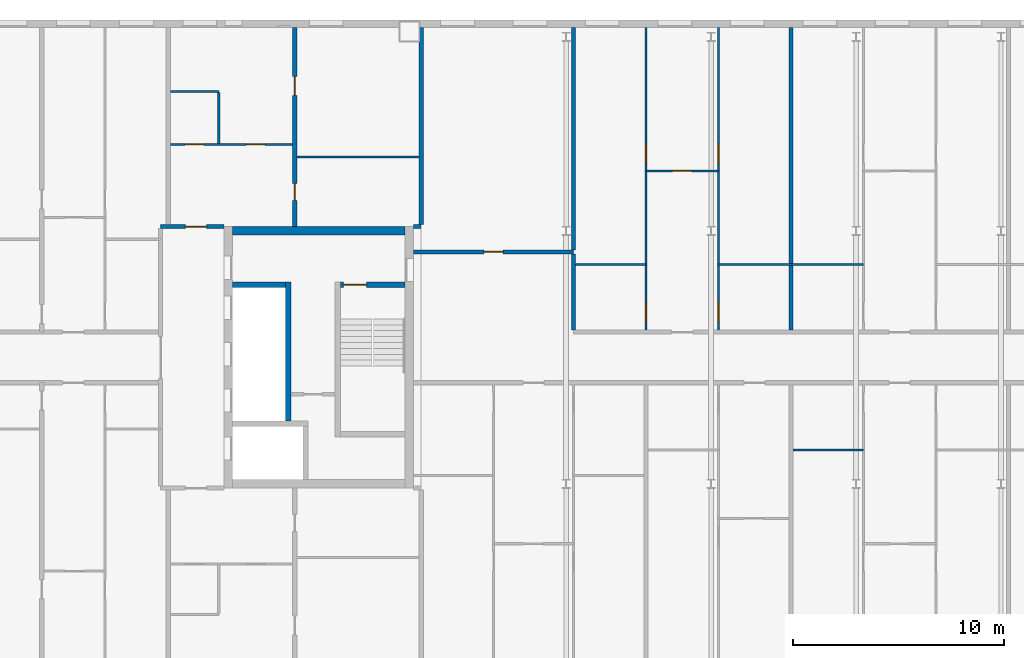
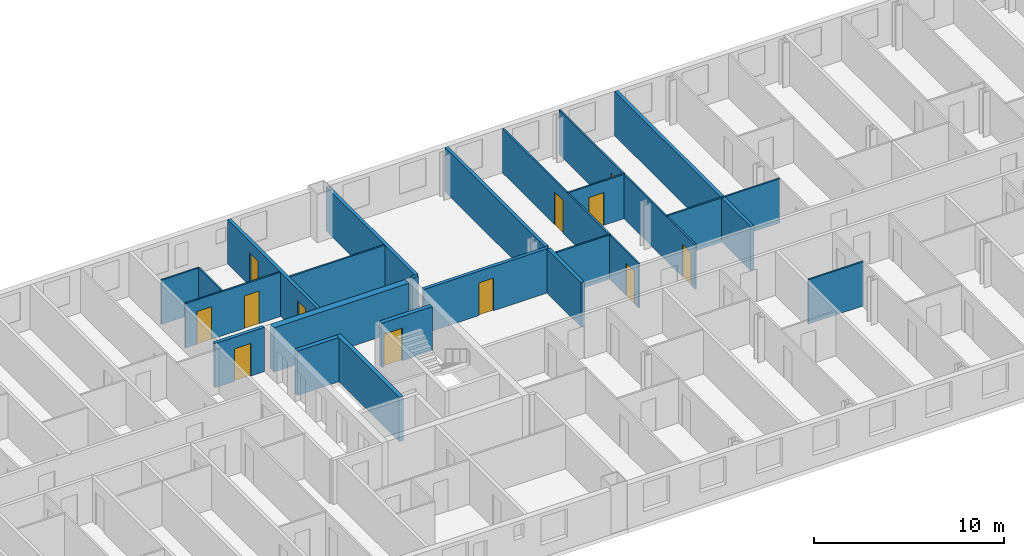
# One storey, part 9 of 19: 22 walls, 12 doors, 12 openings.
"""IFC4 building model written with IfcOpenShell, lengths in metres."""

from ifc_helpers import new_model, si_unit, direction, frame, frame_2d, origin, place, context, subcontext, project, spatial, rectangle, extrude, material, layer, layer_set, type_object, element, fill, save


model = new_model("IFC4")

# Units and contexts
model_context = context("Model", 3, precision=1e-05, world=origin(), true_north=direction((0.0, 1.0)))
body_context = subcontext(model_context, "Body", "Model", "MODEL_VIEW")
ifc_project = project(units=[si_unit("LENGTHUNIT", "METRE"), si_unit("AREAUNIT", "SQUARE_METRE"), si_unit("VOLUMEUNIT", "CUBIC_METRE"), si_unit("PLANEANGLEUNIT", "RADIAN"), si_unit("MASSUNIT", "GRAM", prefix="KILO")], contexts=[model_context])

# Site, building, storey
site_placement = place(None, origin())
site = spatial("IfcSite", under=ifc_project, at=site_placement, CompositionType="ELEMENT")
building_placement = place(site_placement, origin())
building = spatial("IfcBuilding", under=site, at=building_placement, Name="Tuart Gate Housing", CompositionType="ELEMENT")
storey_placement = place(building_placement, frame((0.0, 0.0, 212.10009765625)))
storey = spatial("IfcBuildingStorey", under=building, at=storey_placement, Name="L60", CompositionType="ELEMENT", Elevation=212.10009765625)

# Wall
ifc_material_1 = material(Name="Concrete C40", Category="concrete")
ifc_layer_1 = layer(ifc_material_1, 0.25)
ifc_layer_set_1 = layer_set([ifc_layer_1], Name="Core wall 250 C40")
wall_type_1 = type_object("IfcWallType", Name="Core wall 250 C40", PredefinedType="SHEAR", material=ifc_layer_set_1)
wall_1_placement = place(storey_placement, frame((67.0400390625, 73.449951171875, 0.0), z_axis=(0.0, 0.0, 1.0), x_axis=(1.0, 0.0, 0.0)))
element("IfcWall", 1, at=wall_1_placement, inside=storey, type_object=wall_type_1, Name="Core wall AG.4", PredefinedType="SHEAR", context=body_context, shape_type="SweptSolid", body=[
    extrude(rectangle(XDim=2.52490234375, YDim=0.25, at=frame_2d((1.262451171875, 0.0))), origin(), (0.0, 0.0, 1.0), 2.849853515625),
])

# Wall, opening, door
wall_2_placement = place(storey_placement, frame((72.1650390625, 73.449951171875, 0.0), z_axis=(0.0, 0.0, 1.0), x_axis=(1.0, 0.0, 0.0)))
wall_2 = element("IfcWall", 2, at=wall_2_placement, inside=storey, type_object=wall_type_1, Name="Core wall AG.5", PredefinedType="SHEAR", context=body_context, shape_type="SweptSolid", body=[
    extrude(rectangle(XDim=3.074951171875, YDim=0.25, at=frame_2d((1.53759765625, 0.0))), origin(), (0.0, 0.0, 1.0), 2.849853515625),
])
opening_1_placement = place(wall_2_placement, frame((0.14990234375, 0.0, 0.0)))
opening_1 = element("IfcOpeningElement", 3, at=opening_1_placement, cuts=wall_2, Name="Opening D2131", PredefinedType="OPENING", context=body_context, shape_type="SweptSolid", body=[
    extrude(rectangle(XDim=1.10009765625, YDim=2.10009765625, at=frame_2d((0.550048828125, 1.050048828125))), frame((0.0, 0.135009765625, 0.0), z_axis=(0.0, -1.0, 0.0), x_axis=(1.0, 0.0, 0.0)), (0.0, 0.0, 1.0), 0.27001953125),
])
ifc_material_2 = material(Name="Steel fire door", Category="steel")
door_type_1 = type_object("IfcDoorType", Name="Stair door 1100 x 2100 RH", OperationType="SINGLE_SWING_RIGHT", PredefinedType="DOOR", material=ifc_material_2)
door_1_placement = place(opening_1_placement, frame((1.10009765625, 0.0, 0.0), z_axis=(0.0, 0.0, 1.0), x_axis=(-1.0, 0.0, 0.0)))
door_1 = element("IfcDoor", 4, at=door_1_placement, inside=storey, type_object=door_type_1, Name="Stair door AG.SD", OperationType="SINGLE_SWING_RIGHT", OverallHeight=2.10009765625, OverallWidth=1.10009765625, PredefinedType="DOOR", context=body_context, shape_type="SweptSolid", body=[
    extrude(rectangle(XDim=1.10009765625, YDim=2.10009765625, at=frame_2d((0.550048828125, 1.050048828125))), frame((0.0, 0.025146484375, 0.0), z_axis=(0.0, -1.0, 0.0), x_axis=(1.0, 0.0, 0.0)), (0.0, 0.0, 1.0), 0.050048828125),
])
fill(opening_1, door_1)

# Walls
wall_3_placement = place(storey_placement, frame((69.68994140625, 66.97509765625, 0.0), z_axis=(0.0, 0.0, 1.0), x_axis=(0.0, 1.0, 0.0)))
element("IfcWall", 5, at=wall_3_placement, inside=storey, type_object=wall_type_1, Name="Core wall AG.6", PredefinedType="SHEAR", context=body_context, shape_type="SweptSolid", body=[
    extrude(rectangle(XDim=6.599853515625, YDim=0.25, at=frame_2d((3.2998046875, 0.0))), origin(), (0.0, 0.0, 1.0), 2.849853515625),
])
ifc_material_3 = material(Name="Concrete C40", Category="concrete")
ifc_layer_2 = layer(ifc_material_3, 0.39990234375)
ifc_layer_set_2 = layer_set([ifc_layer_2], Name="Core wall 400 C40")
wall_type_2 = type_object("IfcWallType", Name="Core wall 400 C40", PredefinedType="SHEAR", material=ifc_layer_set_2)
wall_4_placement = place(storey_placement, frame((67.0400390625, 76.0, 0.0), z_axis=(0.0, 0.0, 1.0), x_axis=(1.0, 0.0, 0.0)))
element("IfcWall", 6, at=wall_4_placement, inside=storey, type_object=wall_type_2, Name="Core wall AG north", PredefinedType="SHEAR", context=body_context, shape_type="SweptSolid", body=[
    extrude(rectangle(XDim=8.199951171875, YDim=0.39990234375, at=frame_2d((4.10009765625, 0.0))), origin(), (0.0, 0.0, 1.0), 2.849853515625),
])

# Wall, opening, door
ifc_material_4 = material(Name="Concrete masonry 15 MPa", Category="masonry")
ifc_layer_3 = layer(ifc_material_4, 0.199951171875)
ifc_layer_set_3 = layer_set([ifc_layer_3], Name="Corridor wall masonry 200")
wall_type_3 = type_object("IfcWallType", Name="Corridor wall masonry 200", PredefinedType="PARTITIONING", material=ifc_layer_set_3)
wall_5_placement = place(storey_placement, frame((75.639892578125, 75.0, 0.0), z_axis=(0.0, 0.0, 1.0), x_axis=(1.0, 0.0, 0.0)))
wall_5 = element("IfcWall", 7, at=wall_5_placement, inside=storey, type_object=wall_type_3, Name="Corridor wall masonry 200", PredefinedType="PARTITIONING", context=body_context, shape_type="SweptSolid", body=[
    extrude(rectangle(XDim=7.585205078125, YDim=0.199951171875, at=frame_2d((3.79248046875, 0.0))), origin(), (0.0, 0.0, 1.0), 2.849853515625),
])
opening_2_placement = place(wall_5_placement, frame((3.342529296875, 0.0, 0.0)))
opening_2 = element("IfcOpeningElement", 8, at=opening_2_placement, cuts=wall_5, Name="Opening D2186", PredefinedType="OPENING", context=body_context, shape_type="SweptSolid", body=[
    extrude(rectangle(XDim=0.89990234375, YDim=2.10009765625, at=frame_2d((0.449951171875, 1.050048828125))), frame((0.0, 0.10986328125, 0.0), z_axis=(0.0, -1.0, 0.0), x_axis=(1.0, 0.0, 0.0)), (0.0, 0.0, 1.0), 0.219970703125),
])
ifc_material_5 = material(Name="Timber door leaf in steel frame", Category="steel")
door_type_2 = type_object("IfcDoorType", Name="Internal door 900", OperationType="SINGLE_SWING_LEFT", PredefinedType="DOOR", material=ifc_material_5)
door_2_placement = place(opening_2_placement, origin())
door_2 = element("IfcDoor", 9, at=door_2_placement, inside=storey, type_object=door_type_2, Name="Internal door", OperationType="SINGLE_SWING_LEFT", OverallHeight=2.10009765625, OverallWidth=0.89990234375, PredefinedType="DOOR", context=body_context, shape_type="SweptSolid", body=[
    extrude(rectangle(XDim=0.89990234375, YDim=2.10009765625, at=frame_2d((0.449951171875, 1.050048828125))), frame((0.0, 0.02490234375, 0.0), z_axis=(0.0, -1.0, 0.0), x_axis=(1.0, 0.0, 0.0)), (0.0, 0.0, 1.0), 0.050048828125),
])
fill(opening_2, door_2)

# Wall
wall_6_placement = place(storey_placement, frame((83.22509765625, 71.300048828125, 0.0), z_axis=(0.0, 0.0, 1.0), x_axis=(0.0, 1.0, 0.0)))
element("IfcWall", 10, at=wall_6_placement, inside=storey, type_object=wall_type_3, Name="Corridor wall masonry 200", PredefinedType="PARTITIONING", context=body_context, shape_type="SweptSolid", body=[
    extrude(rectangle(XDim=3.599853515625, YDim=0.199951171875, at=frame_2d((1.7998046875, 0.0))), origin(), (0.0, 0.0, 1.0), 2.849853515625),
])

# Wall, opening, door
ifc_material_6 = material(Name="Concrete masonry 15 MPa", Category="masonry")
ifc_layer_4 = layer(ifc_material_6, 0.199951171875)
ifc_layer_set_4 = layer_set([ifc_layer_4], Name="Enclosure wall masonry 200")
wall_type_4 = type_object("IfcWallType", Name="Enclosure wall masonry 200", PredefinedType="PARTITIONING", material=ifc_layer_set_4)
wall_7_placement = place(storey_placement, frame((63.639892578125, 76.199951171875, 0.0), z_axis=(0.0, 0.0, 1.0), x_axis=(1.0, 0.0, 0.0)))
wall_7 = element("IfcWall", 11, at=wall_7_placement, inside=storey, type_object=wall_type_4, Name="Enclosure wall masonry 200", PredefinedType="PARTITIONING", context=body_context, shape_type="SweptSolid", body=[
    extrude(rectangle(XDim=3.0, YDim=0.199951171875, at=frame_2d((1.5, 0.0))), origin(), (0.0, 0.0, 1.0), 2.849853515625),
])
opening_3_placement = place(wall_7_placement, frame((1.179931640625, 0.0, 0.0)))
opening_3 = element("IfcOpeningElement", 12, at=opening_3_placement, cuts=wall_7, Name="Opening D2129", PredefinedType="OPENING", context=body_context, shape_type="SweptSolid", body=[
    extrude(rectangle(XDim=1.0, YDim=2.10009765625, at=frame_2d((0.5, 1.050048828125))), frame((0.0, 0.10986328125, 0.0), z_axis=(0.0, -1.0, 0.0), x_axis=(1.0, 0.0, 0.0)), (0.0, 0.0, 1.0), 0.219970703125),
])
ifc_material_7 = material(Name="Timber door leaf in steel frame", Category="steel")
door_type_3 = type_object("IfcDoorType", Name="Flat entrance door 1000", OperationType="SINGLE_SWING_LEFT", PredefinedType="DOOR", material=ifc_material_7)
door_3_placement = place(opening_3_placement, origin())
door_3 = element("IfcDoor", 13, at=door_3_placement, inside=storey, type_object=door_type_3, Name="Flat entrance door", OperationType="SINGLE_SWING_LEFT", OverallHeight=2.10009765625, OverallWidth=1.0, PredefinedType="DOOR", context=body_context, shape_type="SweptSolid", body=[
    extrude(rectangle(XDim=1.0, YDim=2.10009765625, at=frame_2d((0.5, 1.050048828125))), frame((0.0, 0.02490234375, 0.0), z_axis=(0.0, -1.0, 0.0), x_axis=(1.0, 0.0, 0.0)), (0.0, 0.0, 1.0), 0.050048828125),
])
fill(opening_3, door_3)

# Walls
ifc_material_8 = material(Name="Gypsum board on steel studs", Category="steel")
ifc_layer_5 = layer(ifc_material_8, 0.10009765625)
ifc_layer_set_5 = layer_set([ifc_layer_5], Name="Partition 100")
wall_type_5 = type_object("IfcWallType", Name="Partition 100", PredefinedType="PARTITIONING", material=ifc_layer_set_5)
wall_8_placement = place(storey_placement, frame((93.636962890625, 65.60009765625, 0.0), z_axis=(0.0, 0.0, 1.0), x_axis=(1.0, 0.0, 0.0)))
element("IfcWall", 14, at=wall_8_placement, inside=storey, type_object=wall_type_5, Name="Partition 100", PredefinedType="PARTITIONING", context=body_context, shape_type="SweptSolid", body=[
    extrude(rectangle(XDim=3.338134765625, YDim=0.10009765625, at=frame_2d((1.6689453125, 0.0))), origin(), (0.0, 0.0, 1.0), 2.849853515625),
])
wall_9_placement = place(storey_placement, frame((83.324951171875, 74.39990234375, 0.0), z_axis=(0.0, 0.0, 1.0), x_axis=(1.0, 0.0, 0.0)))
element("IfcWall", 15, at=wall_9_placement, inside=storey, type_object=wall_type_5, Name="Partition 100", PredefinedType="PARTITIONING", context=body_context, shape_type="SweptSolid", body=[
    extrude(rectangle(XDim=3.337158203125, YDim=0.10009765625, at=frame_2d((1.66845703125, 0.0))), origin(), (0.0, 0.0, 1.0), 2.849853515625),
])
wall_10_placement = place(storey_placement, frame((90.10009765625, 74.39990234375, 0.0), z_axis=(0.0, 0.0, 1.0), x_axis=(1.0, 0.0, 0.0)))
element("IfcWall", 16, at=wall_10_placement, inside=storey, type_object=wall_type_5, Name="Partition 100", PredefinedType="PARTITIONING", context=body_context, shape_type="SweptSolid", body=[
    extrude(rectangle(XDim=6.875, YDim=0.10009765625, at=frame_2d((3.4375, 0.0))), origin(), (0.0, 0.0, 1.0), 2.849853515625),
])

# Wall, opening, door
wall_11_placement = place(storey_placement, frame((86.662109375, 78.840087890625, 0.0), z_axis=(0.0, 0.0, 1.0), x_axis=(1.0, 0.0, 0.0)))
wall_11 = element("IfcWall", 17, at=wall_11_placement, inside=storey, type_object=wall_type_5, Name="Partition 100", PredefinedType="PARTITIONING", context=body_context, shape_type="SweptSolid", body=[
    extrude(rectangle(XDim=3.43798828125, YDim=0.10009765625, at=frame_2d((1.718994140625, 0.0))), origin(), (0.0, 0.0, 1.0), 2.849853515625),
])
opening_4_placement = place(wall_11_placement, frame((1.26904296875, 0.0, 0.0)))
opening_4 = element("IfcOpeningElement", 18, at=opening_4_placement, cuts=wall_11, Name="Opening D2166", PredefinedType="OPENING", context=body_context, shape_type="SweptSolid", body=[
    extrude(rectangle(XDim=0.89990234375, YDim=2.10009765625, at=frame_2d((0.449951171875, 1.050048828125))), frame((0.0, 0.06005859375, 0.0), z_axis=(0.0, -1.0, 0.0), x_axis=(1.0, 0.0, 0.0)), (0.0, 0.0, 1.0), 0.1201171875),
])
ifc_material_9 = material(Name="Timber door leaf in steel frame", Category="steel")
door_type_4 = type_object("IfcDoorType", Name="Internal door 900 RH", OperationType="SINGLE_SWING_RIGHT", PredefinedType="DOOR", material=ifc_material_9)
door_4_placement = place(opening_4_placement, frame((0.89990234375, 0.0, 0.0), z_axis=(0.0, 0.0, 1.0), x_axis=(-1.0, 0.0, 0.0)))
door_4 = element("IfcDoor", 19, at=door_4_placement, inside=storey, type_object=door_type_4, Name="Internal door", OperationType="SINGLE_SWING_RIGHT", OverallHeight=2.10009765625, OverallWidth=0.89990234375, PredefinedType="DOOR", context=body_context, shape_type="SweptSolid", body=[
    extrude(rectangle(XDim=0.89990234375, YDim=2.10009765625, at=frame_2d((0.449951171875, 1.050048828125))), frame((0.0, 0.025146484375, 0.0), z_axis=(0.0, -1.0, 0.0), x_axis=(1.0, 0.0, 0.0)), (0.0, 0.0, 1.0), 0.050048828125),
])
fill(opening_4, door_4)

# Wall
wall_12_placement = place(storey_placement, frame((70.10009765625, 79.5, 0.0), z_axis=(0.0, 0.0, 1.0), x_axis=(1.0, 0.0, 0.0)))
element("IfcWall", 20, at=wall_12_placement, inside=storey, type_object=wall_type_5, Name="Partition 100", PredefinedType="PARTITIONING", context=body_context, shape_type="SweptSolid", body=[
    extrude(rectangle(XDim=5.7998046875, YDim=0.10009765625, at=frame_2d((2.89990234375, 0.0))), origin(), (0.0, 0.0, 1.0), 2.849853515625),
])

# Wall, openings, doors
wall_13_placement = place(storey_placement, frame((64.10009765625, 80.10009765625, 0.0), z_axis=(0.0, 0.0, 1.0), x_axis=(1.0, 0.0, 0.0)))
wall_13 = element("IfcWall", 21, at=wall_13_placement, inside=storey, type_object=wall_type_5, Name="Partition 100", PredefinedType="PARTITIONING", context=body_context, shape_type="SweptSolid", body=[
    extrude(rectangle(XDim=5.7998046875, YDim=0.10009765625, at=frame_2d((2.89990234375, 0.0))), origin(), (0.0, 0.0, 1.0), 2.849853515625),
])
opening_5_placement = place(wall_13_placement, frame((3.60009765625, 0.0, 0.0)))
opening_5 = element("IfcOpeningElement", 22, at=opening_5_placement, cuts=wall_13, Name="Opening D2117", PredefinedType="OPENING", context=body_context, shape_type="SweptSolid", body=[
    extrude(rectangle(XDim=0.89990234375, YDim=2.10009765625, at=frame_2d((0.449951171875, 1.050048828125))), frame((0.0, 0.06005859375, 0.0), z_axis=(0.0, -1.0, 0.0), x_axis=(1.0, 0.0, 0.0)), (0.0, 0.0, 1.0), 0.1201171875),
])
opening_6_placement = place(wall_13_placement, frame((0.699951171875, 0.0, 0.0)))
opening_6 = element("IfcOpeningElement", 23, at=opening_6_placement, cuts=wall_13, Name="Opening D2116", PredefinedType="OPENING", context=body_context, shape_type="SweptSolid", body=[
    extrude(rectangle(XDim=0.89990234375, YDim=2.10009765625, at=frame_2d((0.449951171875, 1.050048828125))), frame((0.0, 0.06005859375, 0.0), z_axis=(0.0, -1.0, 0.0), x_axis=(1.0, 0.0, 0.0)), (0.0, 0.0, 1.0), 0.1201171875),
])
ifc_material_10 = material(Name="Timber door leaf in steel frame", Category="steel")
door_type_5 = type_object("IfcDoorType", Name="Bathroom door 900 RH", OperationType="SINGLE_SWING_RIGHT", PredefinedType="DOOR", material=ifc_material_10)
door_5_placement = place(opening_6_placement, origin())
door_5 = element("IfcDoor", 24, at=door_5_placement, inside=storey, type_object=door_type_5, Name="Bathroom door", OperationType="SINGLE_SWING_RIGHT", OverallHeight=2.10009765625, OverallWidth=0.89990234375, PredefinedType="DOOR", context=body_context, shape_type="SweptSolid", body=[
    extrude(rectangle(XDim=0.89990234375, YDim=2.10009765625, at=frame_2d((0.449951171875, 1.050048828125))), frame((0.0, 0.02490234375, 0.0), z_axis=(0.0, -1.0, 0.0), x_axis=(1.0, 0.0, 0.0)), (0.0, 0.0, 1.0), 0.050048828125),
])
fill(opening_6, door_5)
door_6_placement = place(opening_5_placement, frame((0.89990234375, 0.0, 0.0), z_axis=(0.0, 0.0, 1.0), x_axis=(-1.0, 0.0, 0.0)))
door_6 = element("IfcDoor", 25, at=door_6_placement, inside=storey, type_object=door_type_2, Name="Internal door", OperationType="SINGLE_SWING_LEFT", OverallHeight=2.10009765625, OverallWidth=0.89990234375, PredefinedType="DOOR", context=body_context, shape_type="SweptSolid", body=[
    extrude(rectangle(XDim=0.89990234375, YDim=2.10009765625, at=frame_2d((0.449951171875, 1.050048828125))), frame((0.0, 0.025146484375, 0.0), z_axis=(0.0, -1.0, 0.0), x_axis=(1.0, 0.0, 0.0)), (0.0, 0.0, 1.0), 0.050048828125),
])
fill(opening_5, door_6)

# Walls
wall_14_placement = place(storey_placement, frame((64.10009765625, 82.60009765625, 0.0), z_axis=(0.0, 0.0, 1.0), x_axis=(1.0, 0.0, 0.0)))
element("IfcWall", 26, at=wall_14_placement, inside=storey, type_object=wall_type_5, Name="Partition 100", PredefinedType="PARTITIONING", context=body_context, shape_type="SweptSolid", body=[
    extrude(rectangle(XDim=2.2998046875, YDim=0.10009765625, at=frame_2d((1.14990234375, 0.0))), origin(), (0.0, 0.0, 1.0), 2.849853515625),
])
wall_15_placement = place(storey_placement, frame((66.39990234375, 80.14990234375, 0.0), z_axis=(0.0, 0.0, 1.0), x_axis=(0.0, 1.0, 0.0)))
element("IfcWall", 27, at=wall_15_placement, inside=storey, type_object=wall_type_5, Name="Partition 100", PredefinedType="PARTITIONING", context=body_context, shape_type="SweptSolid", body=[
    extrude(rectangle(XDim=2.400146484375, YDim=0.10009765625, at=frame_2d((1.2001953125, 0.0))), origin(), (0.0, 0.0, 1.0), 2.849853515625),
])

# Wall, openings, doors
wall_16_placement = place(storey_placement, frame((86.662109375, 71.300048828125, 0.0), z_axis=(0.0, 0.0, 1.0), x_axis=(0.0, 1.0, 0.0)))
wall_16 = element("IfcWall", 28, at=wall_16_placement, inside=storey, type_object=wall_type_5, Name="Partition 100", PredefinedType="PARTITIONING", context=body_context, shape_type="SweptSolid", body=[
    extrude(rectangle(XDim=14.33984375, YDim=0.10009765625, at=frame_2d((7.169921875, 0.0))), origin(), (0.0, 0.0, 1.0), 2.849853515625),
])
opening_7_placement = place(wall_16_placement, frame((7.93994140625, 0.0, 0.0)))
opening_7 = element("IfcOpeningElement", 29, at=opening_7_placement, cuts=wall_16, Name="Opening D2170", PredefinedType="OPENING", context=body_context, shape_type="SweptSolid", body=[
    extrude(rectangle(XDim=0.89990234375, YDim=2.10009765625, at=frame_2d((0.449951171875, 1.050048828125))), frame((0.0, 0.06005859375, 0.0), z_axis=(0.0, -1.0, 0.0), x_axis=(1.0, 0.0, 0.0)), (0.0, 0.0, 1.0), 0.1201171875),
])
opening_8_placement = place(wall_16_placement, frame((0.39990234375, 0.0, 0.0)))
opening_8 = element("IfcOpeningElement", 30, at=opening_8_placement, cuts=wall_16, Name="Opening D2169", PredefinedType="OPENING", context=body_context, shape_type="SweptSolid", body=[
    extrude(rectangle(XDim=0.89990234375, YDim=2.10009765625, at=frame_2d((0.449951171875, 1.050048828125))), frame((0.0, 0.06005859375, 0.0), z_axis=(0.0, -1.0, 0.0), x_axis=(1.0, 0.0, 0.0)), (0.0, 0.0, 1.0), 0.1201171875),
])
ifc_material_11 = material(Name="Timber door leaf in steel frame", Category="steel")
door_type_6 = type_object("IfcDoorType", Name="Bathroom door 900", OperationType="SINGLE_SWING_LEFT", PredefinedType="DOOR", material=ifc_material_11)
door_7_placement = place(opening_8_placement, origin())
door_7 = element("IfcDoor", 31, at=door_7_placement, inside=storey, type_object=door_type_6, Name="Bathroom door", OperationType="SINGLE_SWING_LEFT", OverallHeight=2.10009765625, OverallWidth=0.89990234375, PredefinedType="DOOR", context=body_context, shape_type="SweptSolid", body=[
    extrude(rectangle(XDim=0.89990234375, YDim=2.10009765625, at=frame_2d((0.449951171875, 1.050048828125))), frame((0.0, 0.02490234375, 0.0), z_axis=(0.0, -1.0, 0.0), x_axis=(1.0, 0.0, 0.0)), (0.0, 0.0, 1.0), 0.050048828125),
])
fill(opening_8, door_7)
door_8_placement = place(opening_7_placement, origin())
door_8 = element("IfcDoor", 32, at=door_8_placement, inside=storey, type_object=door_type_2, Name="Internal door", OperationType="SINGLE_SWING_LEFT", OverallHeight=2.10009765625, OverallWidth=0.89990234375, PredefinedType="DOOR", context=body_context, shape_type="SweptSolid", body=[
    extrude(rectangle(XDim=0.89990234375, YDim=2.10009765625, at=frame_2d((0.449951171875, 1.050048828125))), frame((0.0, 0.02490234375, 0.0), z_axis=(0.0, -1.0, 0.0), x_axis=(1.0, 0.0, 0.0)), (0.0, 0.0, 1.0), 0.050048828125),
])
fill(opening_7, door_8)

wall_17_placement = place(storey_placement, frame((90.10009765625, 71.300048828125, 0.0), z_axis=(0.0, 0.0, 1.0), x_axis=(0.0, 1.0, 0.0)))
wall_17 = element("IfcWall", 33, at=wall_17_placement, inside=storey, type_object=wall_type_5, Name="Partition 100", PredefinedType="PARTITIONING", context=body_context, shape_type="SweptSolid", body=[
    extrude(rectangle(XDim=14.33984375, YDim=0.10009765625, at=frame_2d((7.169921875, 0.0))), origin(), (0.0, 0.0, 1.0), 2.849853515625),
])
opening_9_placement = place(wall_17_placement, frame((7.93994140625, 0.0, 0.0)))
opening_9 = element("IfcOpeningElement", 34, at=opening_9_placement, cuts=wall_17, Name="Opening D2172", PredefinedType="OPENING", context=body_context, shape_type="SweptSolid", body=[
    extrude(rectangle(XDim=0.89990234375, YDim=2.10009765625, at=frame_2d((0.449951171875, 1.050048828125))), frame((0.0, 0.06005859375, 0.0), z_axis=(0.0, -1.0, 0.0), x_axis=(1.0, 0.0, 0.0)), (0.0, 0.0, 1.0), 0.1201171875),
])
opening_10_placement = place(wall_17_placement, frame((0.39990234375, 0.0, 0.0)))
opening_10 = element("IfcOpeningElement", 35, at=opening_10_placement, cuts=wall_17, Name="Opening D2171", PredefinedType="OPENING", context=body_context, shape_type="SweptSolid", body=[
    extrude(rectangle(XDim=0.89990234375, YDim=2.10009765625, at=frame_2d((0.449951171875, 1.050048828125))), frame((0.0, 0.06005859375, 0.0), z_axis=(0.0, -1.0, 0.0), x_axis=(1.0, 0.0, 0.0)), (0.0, 0.0, 1.0), 0.1201171875),
])
door_9_placement = place(opening_10_placement, frame((0.89990234375, 0.0, 0.0), z_axis=(0.0, 0.0, 1.0), x_axis=(-1.0, 0.0, 0.0)))
door_9 = element("IfcDoor", 36, at=door_9_placement, inside=storey, type_object=door_type_5, Name="Bathroom door", OperationType="SINGLE_SWING_RIGHT", OverallHeight=2.10009765625, OverallWidth=0.89990234375, PredefinedType="DOOR", context=body_context, shape_type="SweptSolid", body=[
    extrude(rectangle(XDim=0.89990234375, YDim=2.10009765625, at=frame_2d((0.449951171875, 1.050048828125))), frame((0.0, 0.025146484375, 0.0), z_axis=(0.0, -1.0, 0.0), x_axis=(1.0, 0.0, 0.0)), (0.0, 0.0, 1.0), 0.050048828125),
])
fill(opening_10, door_9)
door_10_placement = place(opening_9_placement, frame((0.89990234375, 0.0, 0.0), z_axis=(0.0, 0.0, 1.0), x_axis=(-1.0, 0.0, 0.0)))
door_10 = element("IfcDoor", 37, at=door_10_placement, inside=storey, type_object=door_type_4, Name="Internal door", OperationType="SINGLE_SWING_RIGHT", OverallHeight=2.10009765625, OverallWidth=0.89990234375, PredefinedType="DOOR", context=body_context, shape_type="SweptSolid", body=[
    extrude(rectangle(XDim=0.89990234375, YDim=2.10009765625, at=frame_2d((0.449951171875, 1.050048828125))), frame((0.0, 0.025146484375, 0.0), z_axis=(0.0, -1.0, 0.0), x_axis=(1.0, 0.0, 0.0)), (0.0, 0.0, 1.0), 0.050048828125),
])
fill(opening_9, door_10)

ifc_material_12 = material(Name="Concrete C40", Category="concrete")
ifc_layer_6 = layer(ifc_material_12, 0.199951171875)
ifc_layer_set_6 = layer_set([ifc_layer_6], Name="Party wall concrete C40 200")
wall_type_6 = type_object("IfcWallType", Name="Party wall concrete C40 200", PredefinedType="SOLIDWALL", material=ifc_layer_set_6)
wall_18_placement = place(storey_placement, frame((70.0, 76.199951171875, 0.0), z_axis=(0.0, 0.0, 1.0), x_axis=(0.0, 1.0, 0.0)))
wall_18 = element("IfcWall", 38, at=wall_18_placement, inside=storey, type_object=wall_type_6, Name="Party wall concrete C40 200", PredefinedType="SOLIDWALL", context=body_context, shape_type="SweptSolid", body=[
    extrude(rectangle(XDim=9.43994140625, YDim=0.199951171875, at=frame_2d((4.719970703125, 0.0))), origin(), (0.0, 0.0, 1.0), 2.849853515625),
])
opening_11_placement = place(wall_18_placement, frame((6.219970703125, 0.0, 0.0)))
opening_11 = element("IfcOpeningElement", 39, at=opening_11_placement, cuts=wall_18, Name="Opening D2112", PredefinedType="OPENING", context=body_context, shape_type="SweptSolid", body=[
    extrude(rectangle(XDim=0.89990234375, YDim=2.10009765625, at=frame_2d((0.449951171875, 1.050048828125))), frame((0.0, 0.10986328125, 0.0), z_axis=(0.0, -1.0, 0.0), x_axis=(1.0, 0.0, 0.0)), (0.0, 0.0, 1.0), 0.219970703125),
])
opening_12_placement = place(wall_18_placement, frame((1.25, 0.0, 0.0)))
opening_12 = element("IfcOpeningElement", 40, at=opening_12_placement, cuts=wall_18, Name="Opening D2113", PredefinedType="OPENING", context=body_context, shape_type="SweptSolid", body=[
    extrude(rectangle(XDim=0.800048828125, YDim=2.10009765625, at=frame_2d((0.39990234375, 1.050048828125))), frame((0.0, 0.10986328125, 0.0), z_axis=(0.0, -1.0, 0.0), x_axis=(1.0, 0.0, 0.0)), (0.0, 0.0, 1.0), 0.219970703125),
])
door_11_placement = place(opening_11_placement, frame((0.89990234375, 0.0, 0.0), z_axis=(0.0, 0.0, 1.0), x_axis=(-1.0, 0.0, 0.0)))
door_11 = element("IfcDoor", 41, at=door_11_placement, inside=storey, type_object=door_type_2, Name="Internal door", OperationType="SINGLE_SWING_LEFT", OverallHeight=2.10009765625, OverallWidth=0.89990234375, PredefinedType="DOOR", context=body_context, shape_type="SweptSolid", body=[
    extrude(rectangle(XDim=0.89990234375, YDim=2.10009765625, at=frame_2d((0.449951171875, 1.050048828125))), frame((0.0, 0.025146484375, 0.0), z_axis=(0.0, -1.0, 0.0), x_axis=(1.0, 0.0, 0.0)), (0.0, 0.0, 1.0), 0.050048828125),
])
fill(opening_11, door_11)
ifc_material_13 = material(Name="Timber door leaf in steel frame", Category="steel")
door_type_7 = type_object("IfcDoorType", Name="Store door 800 RH", OperationType="SINGLE_SWING_RIGHT", PredefinedType="DOOR", material=ifc_material_13)
door_12_placement = place(opening_12_placement, frame((0.800048828125, 0.0, 0.0), z_axis=(0.0, 0.0, 1.0), x_axis=(-1.0, 0.0, 0.0)))
door_12 = element("IfcDoor", 42, at=door_12_placement, inside=storey, type_object=door_type_7, Name="Store door", OperationType="SINGLE_SWING_RIGHT", OverallHeight=2.10009765625, OverallWidth=0.800048828125, PredefinedType="DOOR", context=body_context, shape_type="SweptSolid", body=[
    extrude(rectangle(XDim=0.800048828125, YDim=2.10009765625, at=frame_2d((0.400146484375, 1.050048828125))), frame((0.0, 0.025146484375, 0.0), z_axis=(0.0, -1.0, 0.0), x_axis=(1.0, 0.0, 0.0)), (0.0, 0.0, 1.0), 0.050048828125),
])
fill(opening_12, door_12)

# Walls
ifc_material_14 = material(Name="Concrete masonry 15 MPa", Category="masonry")
ifc_layer_7 = layer(ifc_material_14, 0.199951171875)
ifc_layer_set_7 = layer_set([ifc_layer_7], Name="Party wall masonry 200")
wall_type_7 = type_object("IfcWallType", Name="Party wall masonry 200", PredefinedType="PARTITIONING", material=ifc_layer_set_7)
wall_19_placement = place(storey_placement, frame((75.639892578125, 76.199951171875, 0.0), z_axis=(0.0, 0.0, 1.0), x_axis=(1.0, 0.0, 0.0)))
element("IfcWall", 43, at=wall_19_placement, inside=storey, type_object=wall_type_7, Name="Party wall masonry 200", PredefinedType="PARTITIONING", context=body_context, shape_type="SweptSolid", body=[
    extrude(rectangle(XDim=0.360107421875, YDim=0.199951171875, at=frame_2d((0.18017578125, 0.0))), origin(), (0.0, 0.0, 1.0), 2.849853515625),
])
wall_20_placement = place(storey_placement, frame((76.0, 76.300048828125, 0.0), z_axis=(0.0, 0.0, 1.0), x_axis=(0.0, 1.0, 0.0)))
element("IfcWall", 44, at=wall_20_placement, inside=storey, type_object=wall_type_7, Name="Party wall masonry 200", PredefinedType="PARTITIONING", context=body_context, shape_type="SweptSolid", body=[
    extrude(rectangle(XDim=9.33984375, YDim=0.199951171875, at=frame_2d((4.669921875, 0.0))), origin(), (0.0, 0.0, 1.0), 2.849853515625),
])
wall_21_placement = place(storey_placement, frame((83.22509765625, 75.10009765625, 0.0), z_axis=(0.0, 0.0, 1.0), x_axis=(0.0, 1.0, 0.0)))
element("IfcWall", 45, at=wall_21_placement, inside=storey, type_object=wall_type_7, Name="Party wall masonry 200", PredefinedType="PARTITIONING", context=body_context, shape_type="SweptSolid", body=[
    extrude(rectangle(XDim=10.539794921875, YDim=0.199951171875, at=frame_2d((5.27001953125, 0.0))), origin(), (0.0, 0.0, 1.0), 2.849853515625),
])
wall_22_placement = place(storey_placement, frame((93.537109375, 71.300048828125, 0.0), z_axis=(0.0, 0.0, 1.0), x_axis=(0.0, 1.0, 0.0)))
element("IfcWall", 46, at=wall_22_placement, inside=storey, type_object=wall_type_7, Name="Party wall masonry 200", PredefinedType="PARTITIONING", context=body_context, shape_type="SweptSolid", body=[
    extrude(rectangle(XDim=14.33984375, YDim=0.199951171875, at=frame_2d((7.169921875, 0.0))), origin(), (0.0, 0.0, 1.0), 2.849853515625),
])

save(model, "model.ifc")
